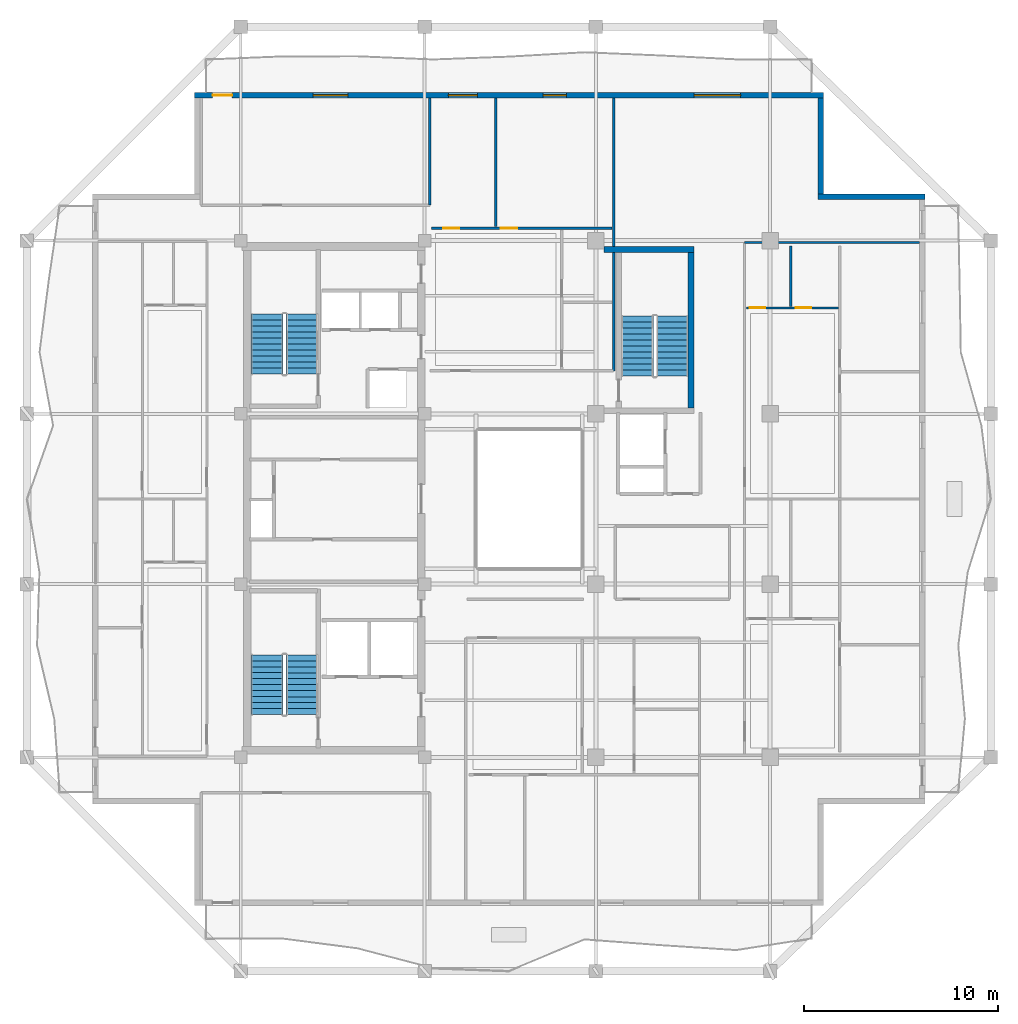
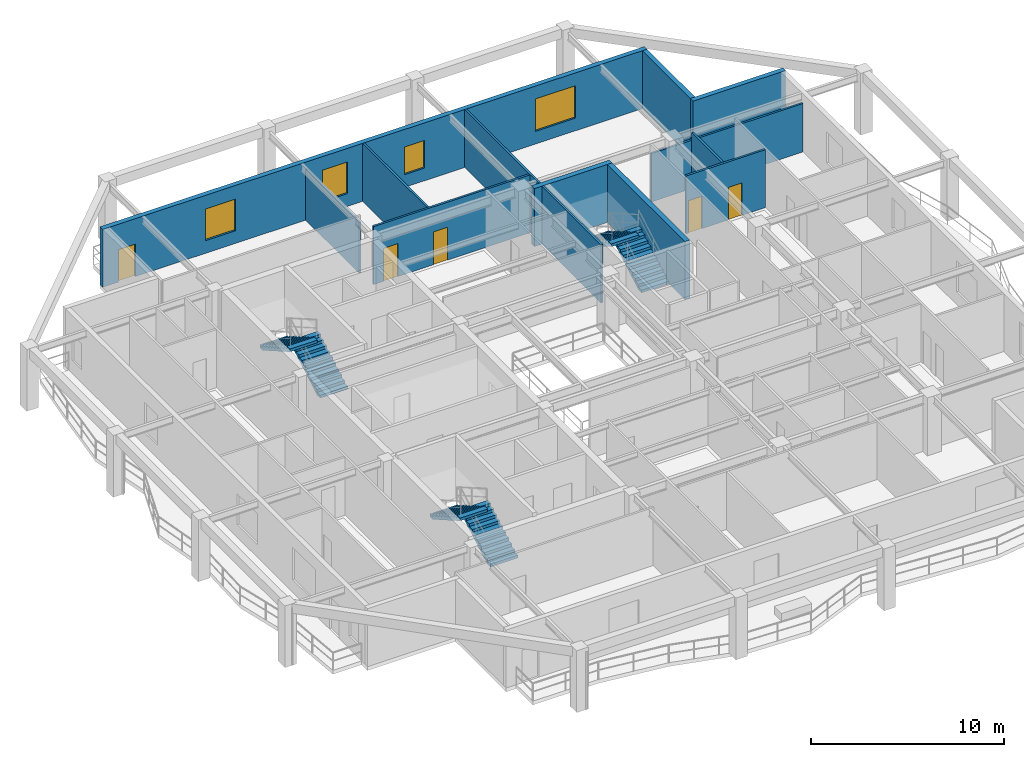
# One storey, part 6 of 11: 12 walls, 6 stair flights, 5 doors, 4 windows, 9 openings, 3 elements without a shape of their own.
"""IFC4 building model written with IfcOpenShell, lengths in metres."""

from ifc_helpers import new_model, si_unit, direction, frame, frame_2d, origin, place, context, subcontext, project, spatial, polyline, rectangle, outline, extrude, material, layer, layer_set, type_object, element, fill, aggregate, save


model = new_model("IFC4")

# Units and contexts
model_context = context("Model", 3, precision=1e-05, world=origin(), true_north=direction((0.0, 1.0)))
body_context = subcontext(model_context, "Body", "Model", "MODEL_VIEW")
ifc_project = project(units=[si_unit("LENGTHUNIT", "METRE"), si_unit("AREAUNIT", "SQUARE_METRE"), si_unit("VOLUMEUNIT", "CUBIC_METRE"), si_unit("PLANEANGLEUNIT", "RADIAN"), si_unit("MASSUNIT", "GRAM", prefix="KILO")], contexts=[model_context])

# Site, building, storey
site_placement = place(None, origin())
site = spatial("IfcSite", under=ifc_project, at=site_placement, CompositionType="ELEMENT")
building_placement = place(site_placement, origin())
building = spatial("IfcBuilding", under=site, at=building_placement, Name="Kundavana Baori Tower", CompositionType="ELEMENT")
storey_placement = place(building_placement, frame((0.0, 0.0, 221.89990234375)))
storey = spatial("IfcBuildingStorey", under=building, at=storey_placement, Name="L54", CompositionType="ELEMENT", Elevation=221.89990234375)

# Walls
ifc_material_1 = material(Name="Red-Buff Dholpur Sandstone Cladding on Concrete C40/50", Category="masonry")
ifc_layer_1 = layer(ifc_material_1, 0.280029296875, Name="WL-EXT-SAND-280")
ifc_layer_set_1 = layer_set([ifc_layer_1], Name="Red-Buff Dholpur Sandstone Cladding on Concrete C40/50")
wall_type_1 = type_object("IfcWallType", Name="WL-EXT-SAND-280", PredefinedType="STANDARD", material=ifc_layer_set_1)
wall_1_placement = place(storey_placement, frame((50.800048828125, 44.2099609375, 0.0), z_axis=(0.0, 0.0, 1.0), x_axis=(-1.0, 0.0, 0.0)))
element("IfcWall", 1, at=wall_1_placement, inside=storey, type_object=wall_type_1, Name="L54 Exterior Insulated Facade Wall 05", PredefinedType="STANDARD", context=body_context, shape_type="SweptSolid", body=[
    extrude(rectangle(XDim=5.530029296875, YDim=0.280029296875, at=frame_2d((2.76513671875, 0.0))), origin(), (0.0, 0.0, 1.0), 3.66015625),
])
wall_2_placement = place(storey_placement, frame((45.409912109375, 44.35009765625, 0.0), z_axis=(0.0, 0.0, 1.0), x_axis=(0.0, 1.0, 0.0)))
element("IfcWall", 2, at=wall_2_placement, inside=storey, type_object=wall_type_1, Name="L54 Exterior Insulated Facade Wall 06", PredefinedType="STANDARD", context=body_context, shape_type="SweptSolid", body=[
    extrude(rectangle(XDim=4.969970703125, YDim=0.280029296875, at=frame_2d((2.48486328125, 0.0))), origin(), (0.0, 0.0, 1.0), 3.66015625),
])

# Wall, openings, door, windows
wall_3_placement = place(storey_placement, frame((45.550048828125, 49.4599609375, 0.0), z_axis=(0.0, 0.0, 1.0), x_axis=(-1.0, 0.0, 0.0)))
wall_3 = element("IfcWall", 3, at=wall_3_placement, inside=storey, type_object=wall_type_1, Name="L54 Exterior Insulated Facade Wall 07", PredefinedType="STANDARD", context=body_context, shape_type="SweptSolid", body=[
    extrude(rectangle(XDim=32.5, YDim=0.280029296875, at=frame_2d((16.25, 0.0))), origin(), (0.0, 0.0, 1.0), 3.66015625),
])
opening_1_placement = place(wall_3_placement, frame((30.550048828125, 0.0, 0.0)))
opening_1 = element("IfcOpeningElement", 4, at=opening_1_placement, cuts=wall_3, Name="Opening BD-1", PredefinedType="OPENING", context=body_context, shape_type="SweptSolid", body=[
    extrude(rectangle(XDim=1.0, YDim=2.050048828125, at=frame_2d((0.5, 1.02490234375))), frame((0.0, 0.14990234375, 0.0), z_axis=(0.0, -1.0, 0.0), x_axis=(1.0, 0.0, 0.0)), (0.0, 0.0, 1.0), 0.300048828125),
])
opening_2_placement = place(wall_3_placement, frame((24.56494140625, 0.0, 0.800048828125)))
opening_2 = element("IfcOpeningElement", 5, at=opening_2_placement, cuts=wall_3, Name="Opening W-01", PredefinedType="OPENING", context=body_context, shape_type="SweptSolid", body=[
    extrude(rectangle(XDim=1.800048828125, YDim=2.0, at=frame_2d((0.89990234375, 1.0))), frame((0.0, 0.14990234375, 0.0), z_axis=(0.0, -1.0, 0.0), x_axis=(1.0, 0.0, 0.0)), (0.0, 0.0, 1.0), 0.300048828125),
])
opening_3_placement = place(wall_3_placement, frame((17.8779296875, 0.0, 0.800048828125)))
opening_3 = element("IfcOpeningElement", 6, at=opening_3_placement, cuts=wall_3, Name="Opening W-02", PredefinedType="OPENING", context=body_context, shape_type="SweptSolid", body=[
    extrude(rectangle(XDim=1.5, YDim=2.0, at=frame_2d((0.75, 1.0))), frame((0.0, 0.14990234375, 0.0), z_axis=(0.0, -1.0, 0.0), x_axis=(1.0, 0.0, 0.0)), (0.0, 0.0, 1.0), 0.300048828125),
])
opening_4_placement = place(wall_3_placement, frame((13.278076171875, 0.0, 0.800048828125)))
opening_4 = element("IfcOpeningElement", 7, at=opening_4_placement, cuts=wall_3, Name="Opening W-03", PredefinedType="OPENING", context=body_context, shape_type="SweptSolid", body=[
    extrude(rectangle(XDim=1.199951171875, YDim=1.75, at=frame_2d((0.60009765625, 0.875))), frame((0.0, 0.14990234375, 0.0), z_axis=(0.0, -1.0, 0.0), x_axis=(1.0, 0.0, 0.0)), (0.0, 0.0, 1.0), 0.300048828125),
])
opening_5_placement = place(wall_3_placement, frame((4.27001953125, 0.0, 0.800048828125)))
opening_5 = element("IfcOpeningElement", 8, at=opening_5_placement, cuts=wall_3, Name="Opening W-04", PredefinedType="OPENING", context=body_context, shape_type="SweptSolid", body=[
    extrude(rectangle(XDim=2.39990234375, YDim=2.050048828125, at=frame_2d((1.199951171875, 1.02490234375))), frame((0.0, 0.14990234375, 0.0), z_axis=(0.0, -1.0, 0.0), x_axis=(1.0, 0.0, 0.0)), (0.0, 0.0, 1.0), 0.300048828125),
])
ifc_material_2 = material(Name="Architectural Patinated Bronze Metalwork")
door_type_1 = type_object("IfcDoorType", Name="DR-EXT-LOG-1000", OperationType="NOTDEFINED", PredefinedType="DOOR", material=ifc_material_2)
door_1_placement = place(opening_1_placement, frame((1.0, 0.0, 0.0), z_axis=(0.0, 0.0, 1.0), x_axis=(-1.0, 0.0, 0.0)))
door_1 = element("IfcDoor", 9, at=door_1_placement, inside=storey, type_object=door_type_1, Name="L54 Loggia Balcony Access Door N", OperationType="SINGLE_SWING_LEFT", OverallHeight=2.050048828125, OverallWidth=1.0, PredefinedType="DOOR", context=body_context, shape_type="SweptSolid", body=[
    extrude(rectangle(XDim=1.0, YDim=2.050048828125, at=frame_2d((0.5, 1.02490234375))), frame((0.0, 0.02490234375, 0.0), z_axis=(0.0, -1.0, 0.0), x_axis=(1.0, 0.0, 0.0)), (0.0, 0.0, 1.0), 0.050048828125),
])
fill(opening_1, door_1)
ifc_material_3 = material(Name="Double-Glazed Solar-Control Low-E Insulated Glass", Category="glass")
window_type_1 = type_object("IfcWindowType", Name="WIN-LOG-1200x1750", PartitioningType="SINGLE_PANEL", PredefinedType="WINDOW", material=ifc_material_3)
window_1_placement = place(opening_4_placement, origin())
window_1 = element("IfcWindow", 10, at=window_1_placement, inside=storey, type_object=window_type_1, Name="L54 Recessed Loggia Window N-3", OverallHeight=1.75, OverallWidth=1.199951171875, PartitioningType="SINGLE_PANEL", PredefinedType="WINDOW", context=body_context, shape_type="SweptSolid", body=[
    extrude(rectangle(XDim=1.199951171875, YDim=1.75, at=frame_2d((0.60009765625, 0.875))), frame((0.0, 0.030029296875, 0.0), z_axis=(0.0, -1.0, 0.0), x_axis=(1.0, 0.0, 0.0)), (0.0, 0.0, 1.0), 0.06005859375),
])
fill(opening_4, window_1)
ifc_material_4 = material(Name="Double-Glazed Solar-Control Low-E Insulated Glass", Category="glass")
window_type_2 = type_object("IfcWindowType", Name="WIN-LOG-1500x2000", PartitioningType="SINGLE_PANEL", PredefinedType="WINDOW", material=ifc_material_4)
window_2_placement = place(opening_3_placement, origin())
window_2 = element("IfcWindow", 11, at=window_2_placement, inside=storey, type_object=window_type_2, Name="L54 Recessed Loggia Window N-2", OverallHeight=2.0, OverallWidth=1.5, PartitioningType="SINGLE_PANEL", PredefinedType="WINDOW", context=body_context, shape_type="SweptSolid", body=[
    extrude(rectangle(XDim=1.5, YDim=2.0, at=frame_2d((0.75, 1.0))), frame((0.0, 0.030029296875, 0.0), z_axis=(0.0, -1.0, 0.0), x_axis=(1.0, 0.0, 0.0)), (0.0, 0.0, 1.0), 0.06005859375),
])
fill(opening_3, window_2)
ifc_material_5 = material(Name="Double-Glazed Solar-Control Low-E Insulated Glass", Category="glass")
window_type_3 = type_object("IfcWindowType", Name="WIN-LOG-1800x2000", PartitioningType="SINGLE_PANEL", PredefinedType="WINDOW", material=ifc_material_5)
window_3_placement = place(opening_2_placement, origin())
window_3 = element("IfcWindow", 12, at=window_3_placement, inside=storey, type_object=window_type_3, Name="L54 Recessed Loggia Window N-1", OverallHeight=2.0, OverallWidth=1.800048828125, PartitioningType="SINGLE_PANEL", PredefinedType="WINDOW", context=body_context, shape_type="SweptSolid", body=[
    extrude(rectangle(XDim=1.800048828125, YDim=2.0, at=frame_2d((0.89990234375, 1.0))), frame((0.0, 0.030029296875, 0.0), z_axis=(0.0, -1.0, 0.0), x_axis=(1.0, 0.0, 0.0)), (0.0, 0.0, 1.0), 0.06005859375),
])
fill(opening_2, window_3)
ifc_material_6 = material(Name="Double-Glazed Solar-Control Low-E Insulated Glass", Category="glass")
window_type_4 = type_object("IfcWindowType", Name="WIN-LOG-2400x2050", PartitioningType="SINGLE_PANEL", PredefinedType="WINDOW", material=ifc_material_6)
window_4_placement = place(opening_5_placement, origin())
window_4 = element("IfcWindow", 13, at=window_4_placement, inside=storey, type_object=window_type_4, Name="L54 Recessed Loggia Window N-4", OverallHeight=2.050048828125, OverallWidth=2.39990234375, PartitioningType="SINGLE_PANEL", PredefinedType="WINDOW", context=body_context, shape_type="SweptSolid", body=[
    extrude(rectangle(XDim=2.39990234375, YDim=2.050048828125, at=frame_2d((1.199951171875, 1.02490234375))), frame((0.0, 0.030029296875, 0.0), z_axis=(0.0, -1.0, 0.0), x_axis=(1.0, 0.0, 0.0)), (0.0, 0.0, 1.0), 0.06005859375),
])
fill(opening_5, window_4)

# Walls
ifc_material_7 = material(Name="Acoustic Gypsum Plasterboard on Galvanised Steel Studs", Category="steel")
ifc_layer_2 = layer(ifc_material_7, 0.1201171875, Name="WL-PART-120")
ifc_layer_set_2 = layer_set([ifc_layer_2], Name="Acoustic Gypsum Plasterboard on Galvanised Steel Studs")
wall_type_2 = type_object("IfcWallType", Name="WL-PART-120", PredefinedType="PARTITIONING", material=ifc_layer_set_2)
wall_4_placement = place(storey_placement, frame((25.219970703125, 43.780029296875, 0.0), z_axis=(0.0, 0.0, 1.0), x_axis=(0.0, 1.0, 0.0)))
element("IfcWall", 14, at=wall_4_placement, inside=storey, type_object=wall_type_2, Name="WL-L54-RNCE", PredefinedType="PARTITIONING", context=body_context, shape_type="SweptSolid", body=[
    extrude(rectangle(XDim=5.5400390625, YDim=0.1201171875, at=frame_2d((2.77001953125, 0.0))), origin(), (0.0, 0.0, 1.0), 3.210205078125),
])
wall_5_placement = place(storey_placement, frame((34.719970703125, 35.219970703125, 0.0), z_axis=(0.0, 0.0, 1.0), x_axis=(0.0, 1.0, 0.0)))
element("IfcWall", 15, at=wall_5_placement, inside=storey, type_object=wall_type_2, Name="WL-L54-RNEND", PredefinedType="PARTITIONING", context=body_context, shape_type="SweptSolid", body=[
    extrude(rectangle(XDim=14.10009765625, YDim=0.1201171875, at=frame_2d((7.050048828125, 0.0))), origin(), (0.0, 0.0, 1.0), 3.66015625),
])

# Wall, openings, doors
wall_6_placement = place(storey_placement, frame((25.300048828125, 42.590087890625, 0.0), z_axis=(0.0, 0.0, 1.0), x_axis=(1.0, 0.0, 0.0)))
wall_6 = element("IfcWall", 16, at=wall_6_placement, inside=storey, type_object=wall_type_2, Name="WL-L54-N1-HZ", PredefinedType="PARTITIONING", context=body_context, shape_type="SweptSolid", body=[
    extrude(rectangle(XDim=9.33984375, YDim=0.1201171875, at=frame_2d((4.669921875, 0.0))), origin(), (0.0, 0.0, 1.0), 3.66015625),
])
opening_6_placement = place(wall_6_placement, frame((0.60009765625, 0.0, 0.0)))
opening_6 = element("IfcOpeningElement", 17, at=opening_6_placement, cuts=wall_6, Name="Opening ID-085", PredefinedType="OPENING", context=body_context, shape_type="SweptSolid", body=[
    extrude(rectangle(XDim=0.85009765625, YDim=2.080078125, at=frame_2d((0.425048828125, 1.0400390625))), frame((0.0, 0.070068359375, 0.0), z_axis=(0.0, -1.0, 0.0), x_axis=(1.0, 0.0, 0.0)), (0.0, 0.0, 1.0), 0.14013671875),
])
opening_7_placement = place(wall_6_placement, frame((3.572998046875, 0.0, 0.0)))
opening_7 = element("IfcOpeningElement", 18, at=opening_7_placement, cuts=wall_6, Name="Opening ID-085", PredefinedType="OPENING", context=body_context, shape_type="SweptSolid", body=[
    extrude(rectangle(XDim=0.85009765625, YDim=2.080078125, at=frame_2d((0.425048828125, 1.0400390625))), frame((0.0, 0.070068359375, 0.0), z_axis=(0.0, -1.0, 0.0), x_axis=(1.0, 0.0, 0.0)), (0.0, 0.0, 1.0), 0.14013671875),
])
ifc_material_8 = material(Name="Engineered Teak Solid-Core Timber Veneer", Category="wood")
door_type_2 = type_object("IfcDoorType", Name="DR-INT-850", OperationType="NOTDEFINED", PredefinedType="DOOR", material=ifc_material_8)
door_2_placement = place(opening_6_placement, origin())
door_2 = element("IfcDoor", 19, at=door_2_placement, inside=storey, type_object=door_type_2, Name="DR-L54-N1-B1", OperationType="SINGLE_SWING_LEFT", OverallHeight=2.080078125, OverallWidth=0.85009765625, PredefinedType="DOOR", context=body_context, shape_type="SweptSolid", body=[
    extrude(rectangle(XDim=0.85009765625, YDim=2.080078125, at=frame_2d((0.425048828125, 1.0400390625))), frame((0.0, 0.02490234375, 0.0), z_axis=(0.0, -1.0, 0.0), x_axis=(1.0, 0.0, 0.0)), (0.0, 0.0, 1.0), 0.050048828125),
])
fill(opening_6, door_2)
door_3_placement = place(opening_7_placement, origin())
door_3 = element("IfcDoor", 20, at=door_3_placement, inside=storey, type_object=door_type_2, Name="DR-L54-N1-B2", OperationType="SINGLE_SWING_RIGHT", OverallHeight=2.080078125, OverallWidth=0.85009765625, PredefinedType="DOOR", context=body_context, shape_type="SweptSolid", body=[
    extrude(rectangle(XDim=0.85009765625, YDim=2.080078125, at=frame_2d((0.425048828125, 1.0400390625))), frame((0.0, 0.02490234375, 0.0), z_axis=(0.0, -1.0, 0.0), x_axis=(1.0, 0.0, 0.0)), (0.0, 0.0, 1.0), 0.050048828125),
])
fill(opening_7, door_3)

# Walls
wall_7_placement = place(storey_placement, frame((28.623046875, 42.669921875, 0.0), z_axis=(0.0, 0.0, 1.0), x_axis=(0.0, 1.0, 0.0)))
element("IfcWall", 21, at=wall_7_placement, inside=storey, type_object=wall_type_2, Name="WL-L54-N1-BDV", PredefinedType="PARTITIONING", context=body_context, shape_type="SweptSolid", body=[
    extrude(rectangle(XDim=6.650146484375, YDim=0.1201171875, at=frame_2d((3.3251953125, 0.0))), origin(), (0.0, 0.0, 1.0), 3.66015625),
])
wall_8_placement = place(storey_placement, frame((41.47998046875, 41.85009765625, 0.0), z_axis=(0.0, 0.0, 1.0), x_axis=(1.0, 0.0, 0.0)))
element("IfcWall", 22, at=wall_8_placement, inside=storey, type_object=wall_type_2, Name="WL-L54-REN", PredefinedType="PARTITIONING", context=body_context, shape_type="SweptSolid", body=[
    extrude(rectangle(XDim=9.0400390625, YDim=0.1201171875, at=frame_2d((4.52001953125, 0.0))), origin(), (0.0, 0.0, 1.0), 3.06005859375),
])
ifc_material_9 = material(Name="Concrete C50/60", Category="concrete")
ifc_layer_3 = layer(ifc_material_9, 0.300048828125, Name="WL-ST3-300")
ifc_layer_set_3 = layer_set([ifc_layer_3], Name="Concrete C50/60")
wall_type_3 = type_object("IfcWallType", Name="WL-ST3-300", PredefinedType="SHEAR", material=ifc_layer_set_3)
wall_9_placement = place(storey_placement, frame((34.22509765625, 41.489990234375, 0.0), z_axis=(0.0, 0.0, 1.0), x_axis=(1.0, 0.0, 0.0)))
element("IfcWall", 23, at=wall_9_placement, inside=storey, type_object=wall_type_3, Name="L54 Stair ST3 North Shear Wall", PredefinedType="SHEAR", context=body_context, shape_type="SweptSolid", body=[
    extrude(rectangle(XDim=4.64501953125, YDim=0.300048828125, at=frame_2d((2.322509765625, 0.0))), origin(), (0.0, 0.0, 1.0), 3.66015625),
])
wall_10_placement = place(storey_placement, frame((38.719970703125, 33.31005859375, 0.0), z_axis=(0.0, 0.0, 1.0), x_axis=(0.0, 1.0, 0.0)))
element("IfcWall", 24, at=wall_10_placement, inside=storey, type_object=wall_type_3, Name="L54 Stair ST3 East Shear Wall", PredefinedType="SHEAR", context=body_context, shape_type="SweptSolid", body=[
    extrude(rectangle(XDim=8.030029296875, YDim=0.300048828125, at=frame_2d((4.01513671875, 0.0))), origin(), (0.0, 0.0, 1.0), 3.66015625),
])

# Wall, openings, doors
ifc_material_10 = material(Name="Autoclaved Aerated Concrete Blockwork Masonry", Category="masonry")
ifc_layer_4 = layer(ifc_material_10, 0.125, Name="WL-WET-120")
ifc_layer_set_4 = layer_set([ifc_layer_4], Name="Autoclaved Aerated Concrete Blockwork Masonry")
wall_type_4 = type_object("IfcWallType", Name="WL-WET-120", PredefinedType="PLUMBINGWALL", material=ifc_layer_set_4)
wall_11_placement = place(storey_placement, frame((41.580078125, 38.469970703125, 0.0), z_axis=(0.0, 0.0, 1.0), x_axis=(1.0, 0.0, 0.0)))
wall_11 = element("IfcWall", 25, at=wall_11_placement, inside=storey, type_object=wall_type_4, Name="WL-L54-E2-KH", PredefinedType="PLUMBINGWALL", context=body_context, shape_type="SweptSolid", body=[
    extrude(rectangle(XDim=4.747802734375, YDim=0.125, at=frame_2d((2.3740234375, 0.0))), origin(), (0.0, 0.0, 1.0), 3.66015625),
])
opening_8_placement = place(wall_11_placement, frame((0.159912109375, 0.0, 0.0)))
opening_8 = element("IfcOpeningElement", 26, at=opening_8_placement, cuts=wall_11, Name="Opening WD-080", PredefinedType="OPENING", context=body_context, shape_type="SweptSolid", body=[
    extrude(rectangle(XDim=0.800048828125, YDim=2.050048828125, at=frame_2d((0.39990234375, 1.02490234375))), frame((0.0, 0.072509765625, 0.0), z_axis=(0.0, -1.0, 0.0), x_axis=(1.0, 0.0, 0.0)), (0.0, 0.0, 1.0), 0.14501953125),
])
opening_9_placement = place(wall_11_placement, frame((2.5390625, 0.0, 0.0)))
opening_9 = element("IfcOpeningElement", 27, at=opening_9_placement, cuts=wall_11, Name="Opening WD-080", PredefinedType="OPENING", context=body_context, shape_type="SweptSolid", body=[
    extrude(rectangle(XDim=0.800048828125, YDim=2.050048828125, at=frame_2d((0.39990234375, 1.02490234375))), frame((0.0, 0.072509765625, 0.0), z_axis=(0.0, -1.0, 0.0), x_axis=(1.0, 0.0, 0.0)), (0.0, 0.0, 1.0), 0.14501953125),
])
ifc_material_11 = material(Name="Engineered Teak Solid-Core Timber Veneer", Category="wood")
door_type_3 = type_object("IfcDoorType", Name="DR-WET-800", OperationType="NOTDEFINED", PredefinedType="DOOR", material=ifc_material_11)
door_4_placement = place(opening_8_placement, origin())
door_4 = element("IfcDoor", 28, at=door_4_placement, inside=storey, type_object=door_type_3, Name="DR-L54-E2-BT", OperationType="SINGLE_SWING_LEFT", OverallHeight=2.050048828125, OverallWidth=0.800048828125, PredefinedType="DOOR", context=body_context, shape_type="SweptSolid", body=[
    extrude(rectangle(XDim=0.800048828125, YDim=2.050048828125, at=frame_2d((0.39990234375, 1.02490234375))), frame((0.0, 0.02490234375, 0.0), z_axis=(0.0, -1.0, 0.0), x_axis=(1.0, 0.0, 0.0)), (0.0, 0.0, 1.0), 0.050048828125),
])
fill(opening_8, door_4)
door_5_placement = place(opening_9_placement, origin())
door_5 = element("IfcDoor", 29, at=door_5_placement, inside=storey, type_object=door_type_3, Name="DR-L54-E2-KT", OperationType="SINGLE_SWING_RIGHT", OverallHeight=2.050048828125, OverallWidth=0.800048828125, PredefinedType="DOOR", context=body_context, shape_type="SweptSolid", body=[
    extrude(rectangle(XDim=0.800048828125, YDim=2.050048828125, at=frame_2d((0.39990234375, 1.02490234375))), frame((0.0, 0.02490234375, 0.0), z_axis=(0.0, -1.0, 0.0), x_axis=(1.0, 0.0, 0.0)), (0.0, 0.0, 1.0), 0.050048828125),
])
fill(opening_9, door_5)

# Wall
wall_12_placement = place(storey_placement, frame((43.85888671875, 38.550048828125, 0.0), z_axis=(0.0, 0.0, 1.0), x_axis=(0.0, 1.0, 0.0)))
element("IfcWall", 30, at=wall_12_placement, inside=storey, type_object=wall_type_4, Name="WL-L54-E2-BV", PredefinedType="PLUMBINGWALL", context=body_context, shape_type="SweptSolid", body=[
    extrude(rectangle(XDim=3.119873046875, YDim=0.125, at=frame_2d((1.56005859375, 0.0))), origin(), (0.0, 0.0, 1.0), 3.66015625),
])

# Stair, stair flights
ifc_material_12 = material(Name="Concrete C40/50", Category="concrete")
stair_type = type_object("IfcStairType", Name="STR-DOG-1650", PredefinedType="HALF_TURN_STAIR", material=ifc_material_12)
stair_1_placement = place(storey_placement, origin())
stair_1 = element("IfcStair", 31, at=stair_1_placement, inside=storey, type_object=stair_type, Name="L54 Protected Exit Stair ST1", PredefinedType="HALF_TURN_STAIR")
ifc_material_13 = material(Name="Concrete C40/50", Category="concrete")
stair_flight_type = type_object("IfcStairFlightType", Name="SFL-RC-1650", PredefinedType="STRAIGHT", material=ifc_material_13)
stair_flight_1_placement = place(storey_placement, frame((18.614990234375, 17.449951171875, 0.0), z_axis=(0.0, 0.0, 1.0), x_axis=(0.0, 1.0, 0.0)))
stair_flight_1 = element("IfcStairFlight", 32, at=stair_flight_1_placement, type_object=stair_flight_type, Name="ST1 flight 1", NumberOfRisers=11, NumberOfTreads=10, PredefinedType="STRAIGHT", RiserHeight=0.177272727, TreadLength=0.31, context=body_context, shape_type="SweptSolid", body=[
    extrude(outline(polyline([(0.0, 0.0), (0.0, 0.17724609375), (0.31005859375, 0.17724609375), (0.31005859375, 0.3544921875), (0.6201171875, 0.3544921875), (0.6201171875, 0.53173828125), (0.929931640625, 0.53173828125), (0.929931640625, 0.708984375), (1.239990234375, 0.708984375), (1.239990234375, 0.886474609375), (1.550048828125, 0.886474609375), (1.550048828125, 1.063720703125), (1.860107421875, 1.063720703125), (1.860107421875, 1.240966796875), (2.169921875, 1.240966796875), (2.169921875, 1.418212890625), (2.47998046875, 1.418212890625), (2.47998046875, 1.595458984375), (2.7900390625, 1.595458984375), (2.7900390625, 1.772705078125), (3.10009765625, 1.772705078125), (3.10009765625, 1.949951171875), (3.10009765625, 1.60009765625), (0.302001953125, 0.0), (0.0, 0.0)])), frame((0.0, 0.824951171875, 0.0), z_axis=(0.0, -1.0, 0.0), x_axis=(1.0, 0.0, 0.0)), (0.0, 0.0, 1.0), 1.64990234375),
])
stair_flight_2_placement = place(storey_placement, frame((16.804931640625, 20.550048828125, 1.9501953125), z_axis=(0.0, 0.0, 1.0), x_axis=(0.0, -1.0, 0.0)))
stair_flight_2 = element("IfcStairFlight", 33, at=stair_flight_2_placement, type_object=stair_flight_type, Name="ST1 flight 2", NumberOfRisers=11, NumberOfTreads=10, PredefinedType="STRAIGHT", RiserHeight=0.177272727, TreadLength=0.31, context=body_context, shape_type="SweptSolid", body=[
    extrude(outline(polyline([(0.0, 0.0), (0.0, 0.17724609375), (0.31005859375, 0.17724609375), (0.31005859375, 0.3544921875), (0.6201171875, 0.3544921875), (0.6201171875, 0.53173828125), (0.929931640625, 0.53173828125), (0.929931640625, 0.708984375), (1.239990234375, 0.708984375), (1.239990234375, 0.886474609375), (1.550048828125, 0.886474609375), (1.550048828125, 1.063720703125), (1.860107421875, 1.063720703125), (1.860107421875, 1.240966796875), (2.169921875, 1.240966796875), (2.169921875, 1.418212890625), (2.47998046875, 1.418212890625), (2.47998046875, 1.595458984375), (2.7900390625, 1.595458984375), (2.7900390625, 1.772705078125), (3.10009765625, 1.772705078125), (3.10009765625, 1.949951171875), (3.10009765625, 1.60009765625), (0.302001953125, 0.0), (0.0, 0.0)])), frame((0.0, 0.824951171875, 0.0), z_axis=(0.0, -1.0, 0.0), x_axis=(1.0, 0.0, 0.0)), (0.0, 0.0, 1.0), 1.64990234375),
])
aggregate(stair_1, [stair_flight_1, stair_flight_2])

stair_2_placement = place(storey_placement, origin())
stair_2 = element("IfcStair", 34, at=stair_2_placement, inside=storey, type_object=stair_type, Name="L54 Protected Exit Stair ST2", PredefinedType="HALF_TURN_STAIR")
stair_flight_3_placement = place(storey_placement, frame((18.614990234375, 35.050048828125, 0.0), z_axis=(0.0, 0.0, 1.0), x_axis=(0.0, 1.0, 0.0)))
stair_flight_3 = element("IfcStairFlight", 35, at=stair_flight_3_placement, type_object=stair_flight_type, Name="ST2 flight 1", NumberOfRisers=11, NumberOfTreads=10, PredefinedType="STRAIGHT", RiserHeight=0.177272727, TreadLength=0.31, context=body_context, shape_type="SweptSolid", body=[
    extrude(outline(polyline([(0.0, 0.0), (0.0, 0.17724609375), (0.31005859375, 0.17724609375), (0.31005859375, 0.3544921875), (0.6201171875, 0.3544921875), (0.6201171875, 0.53173828125), (0.929931640625, 0.53173828125), (0.929931640625, 0.708984375), (1.239990234375, 0.708984375), (1.239990234375, 0.886474609375), (1.550048828125, 0.886474609375), (1.550048828125, 1.063720703125), (1.860107421875, 1.063720703125), (1.860107421875, 1.240966796875), (2.169921875, 1.240966796875), (2.169921875, 1.418212890625), (2.47998046875, 1.418212890625), (2.47998046875, 1.595458984375), (2.7900390625, 1.595458984375), (2.7900390625, 1.772705078125), (3.10009765625, 1.772705078125), (3.10009765625, 1.949951171875), (3.10009765625, 1.60009765625), (0.302001953125, 0.0), (0.0, 0.0)])), frame((0.0, 0.824951171875, 0.0), z_axis=(0.0, -1.0, 0.0), x_axis=(1.0, 0.0, 0.0)), (0.0, 0.0, 1.0), 1.64990234375),
])
stair_flight_4_placement = place(storey_placement, frame((16.804931640625, 38.14990234375, 1.9501953125), z_axis=(0.0, 0.0, 1.0), x_axis=(0.0, -1.0, 0.0)))
stair_flight_4 = element("IfcStairFlight", 36, at=stair_flight_4_placement, type_object=stair_flight_type, Name="ST2 flight 2", NumberOfRisers=11, NumberOfTreads=10, PredefinedType="STRAIGHT", RiserHeight=0.177272727, TreadLength=0.31, context=body_context, shape_type="SweptSolid", body=[
    extrude(outline(polyline([(0.0, 0.0), (0.0, 0.17724609375), (0.31005859375, 0.17724609375), (0.31005859375, 0.3544921875), (0.6201171875, 0.3544921875), (0.6201171875, 0.53173828125), (0.929931640625, 0.53173828125), (0.929931640625, 0.708984375), (1.239990234375, 0.708984375), (1.239990234375, 0.886474609375), (1.550048828125, 0.886474609375), (1.550048828125, 1.063720703125), (1.860107421875, 1.063720703125), (1.860107421875, 1.240966796875), (2.169921875, 1.240966796875), (2.169921875, 1.418212890625), (2.47998046875, 1.418212890625), (2.47998046875, 1.595458984375), (2.7900390625, 1.595458984375), (2.7900390625, 1.772705078125), (3.10009765625, 1.772705078125), (3.10009765625, 1.949951171875), (3.10009765625, 1.60009765625), (0.302001953125, 0.0), (0.0, 0.0)])), frame((0.0, 0.824951171875, 0.0), z_axis=(0.0, -1.0, 0.0), x_axis=(1.0, 0.0, 0.0)), (0.0, 0.0, 1.0), 1.64990234375),
])
aggregate(stair_2, [stair_flight_3, stair_flight_4])

stair_3_placement = place(storey_placement, origin())
stair_3 = element("IfcStair", 37, at=stair_3_placement, inside=storey, type_object=stair_type, Name="L54 Protected Exit Stair ST3", PredefinedType="HALF_TURN_STAIR")
stair_flight_5_placement = place(storey_placement, frame((37.7548828125, 34.949951171875, 0.0), z_axis=(0.0, 0.0, 1.0), x_axis=(0.0, 1.0, 0.0)))
stair_flight_5 = element("IfcStairFlight", 38, at=stair_flight_5_placement, type_object=stair_flight_type, Name="ST3 flight 1", NumberOfRisers=11, NumberOfTreads=10, PredefinedType="STRAIGHT", RiserHeight=0.177272727, TreadLength=0.31, context=body_context, shape_type="SweptSolid", body=[
    extrude(outline(polyline([(0.0, 0.0), (0.0, 0.17724609375), (0.31005859375, 0.17724609375), (0.31005859375, 0.3544921875), (0.6201171875, 0.3544921875), (0.6201171875, 0.53173828125), (0.929931640625, 0.53173828125), (0.929931640625, 0.708984375), (1.239990234375, 0.708984375), (1.239990234375, 0.886474609375), (1.550048828125, 0.886474609375), (1.550048828125, 1.063720703125), (1.860107421875, 1.063720703125), (1.860107421875, 1.240966796875), (2.169921875, 1.240966796875), (2.169921875, 1.418212890625), (2.47998046875, 1.418212890625), (2.47998046875, 1.595458984375), (2.7900390625, 1.595458984375), (2.7900390625, 1.772705078125), (3.10009765625, 1.772705078125), (3.10009765625, 1.949951171875), (3.10009765625, 1.60009765625), (0.302001953125, 0.0), (0.0, 0.0)])), frame((0.0, 0.824951171875, 0.0), z_axis=(0.0, -1.0, 0.0), x_axis=(1.0, 0.0, 0.0)), (0.0, 0.0, 1.0), 1.64990234375),
])
stair_flight_6_placement = place(storey_placement, frame((35.945068359375, 38.050048828125, 1.9501953125), z_axis=(0.0, 0.0, 1.0), x_axis=(0.0, -1.0, 0.0)))
stair_flight_6 = element("IfcStairFlight", 39, at=stair_flight_6_placement, type_object=stair_flight_type, Name="ST3 flight 2", NumberOfRisers=11, NumberOfTreads=10, PredefinedType="STRAIGHT", RiserHeight=0.177272727, TreadLength=0.31, context=body_context, shape_type="SweptSolid", body=[
    extrude(outline(polyline([(0.0, 0.0), (0.0, 0.17724609375), (0.31005859375, 0.17724609375), (0.31005859375, 0.3544921875), (0.6201171875, 0.3544921875), (0.6201171875, 0.53173828125), (0.929931640625, 0.53173828125), (0.929931640625, 0.708984375), (1.239990234375, 0.708984375), (1.239990234375, 0.886474609375), (1.550048828125, 0.886474609375), (1.550048828125, 1.063720703125), (1.860107421875, 1.063720703125), (1.860107421875, 1.240966796875), (2.169921875, 1.240966796875), (2.169921875, 1.418212890625), (2.47998046875, 1.418212890625), (2.47998046875, 1.595458984375), (2.7900390625, 1.595458984375), (2.7900390625, 1.772705078125), (3.10009765625, 1.772705078125), (3.10009765625, 1.949951171875), (3.10009765625, 1.60009765625), (0.302001953125, 0.0), (0.0, 0.0)])), frame((0.0, 0.824951171875, 0.0), z_axis=(0.0, -1.0, 0.0), x_axis=(1.0, 0.0, 0.0)), (0.0, 0.0, 1.0), 1.64990234375),
])
aggregate(stair_3, [stair_flight_5, stair_flight_6])

save(model, "model.ifc")
